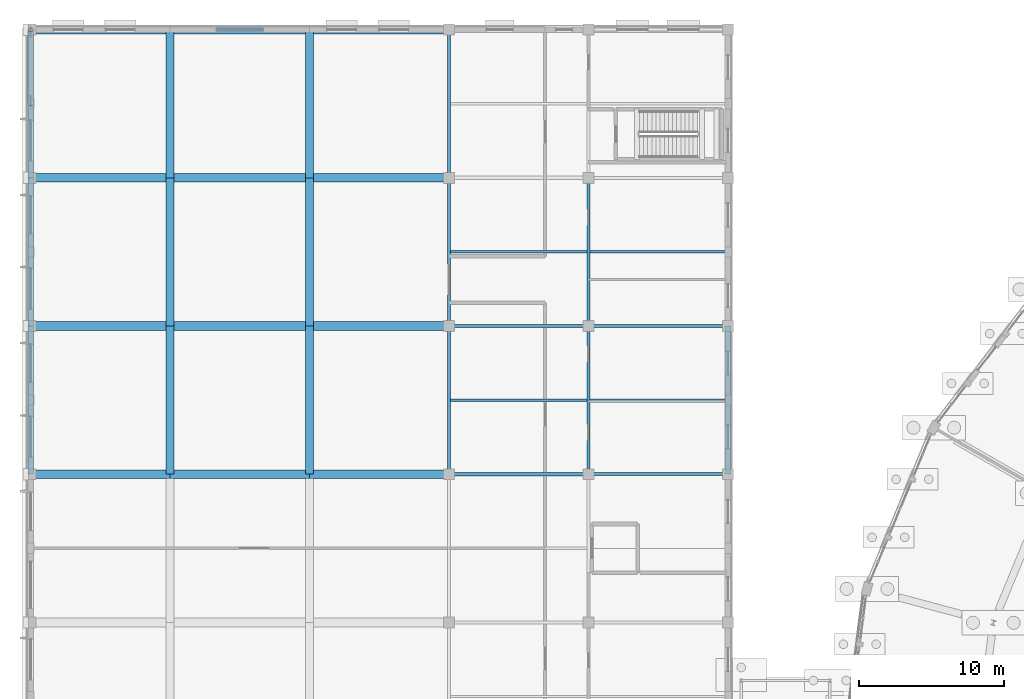
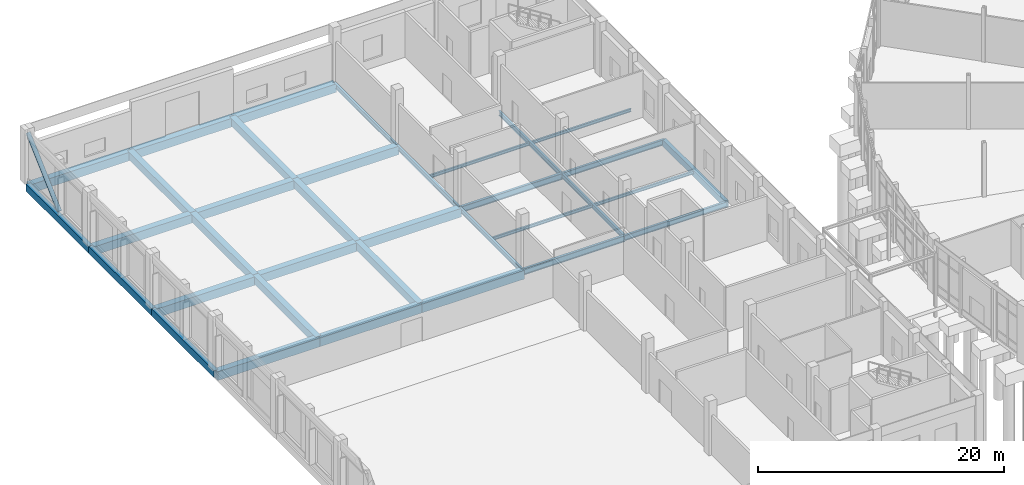
# One storey, part 50 of 137: 35 beams, 1 member.
"""IFC4 building model written with IfcOpenShell, lengths in metres."""

from ifc_helpers import new_model, si_unit, direction, frame, origin, origin_2d, place, context, subcontext, project, spatial, rectangle, hollow_circle, i_section, extrude, material, material_profile, profile_set, type_object, element, save


model = new_model("IFC4")

# Units and contexts
model_context = context("Model", 3, precision=1e-05, world=origin(), true_north=direction((0.0, 1.0)))
body_context = subcontext(model_context, "Body", "Model", "MODEL_VIEW")
ifc_project = project(units=[si_unit("LENGTHUNIT", "METRE"), si_unit("AREAUNIT", "SQUARE_METRE"), si_unit("VOLUMEUNIT", "CUBIC_METRE"), si_unit("PLANEANGLEUNIT", "RADIAN"), si_unit("MASSUNIT", "GRAM", prefix="KILO")], contexts=[model_context])

# Site, building, storey
site_placement = place(None, origin())
site = spatial("IfcSite", under=ifc_project, at=site_placement, CompositionType="ELEMENT")
building_placement = place(site_placement, origin())
building = spatial("IfcBuilding", under=site, at=building_placement, Name="Vondelvale Polytechnic", CompositionType="ELEMENT")
storey_placement = place(building_placement, origin())
storey = spatial("IfcBuildingStorey", under=building, at=storey_placement, Name="L00", CompositionType="ELEMENT", Elevation=0.0)

# Beams
ifc_material_1 = material(Name="Concrete N40 (f'c = 40 MPa)", Category="concrete")
ifc_material_profile_1 = material_profile(ifc_material_1, rectangle(XDim=0.550048828125, YDim=0.75, at=origin_2d()), Name="RC-BM-550x750")
ifc_profile_set_1 = profile_set([ifc_material_profile_1], Name="Concrete N40 (f'c = 40 MPa)")
beam_type_1 = type_object("IfcBeamType", Name="BM-RC550x750", PredefinedType="BEAM", material=ifc_profile_set_1)
for number, where, z_axis, x_axis, name in (
    (1, (9.60009765625, 91.800048828125, -0.675048828125), (0.0, 1.0, 0.0), (-1.0, 0.0, 0.0), "L00 B B-02"),
    (2, (9.60009765625, 102.0, -0.675048828125), (0.0, 1.0, 0.0), (-1.0, 0.0, 0.0), "L00 B B-02"),
    (3, (9.60009765625, 112.199951171875, -0.675048828125), (0.0, 1.0, 0.0), (-1.0, 0.0, 0.0), "L00 B B-02"),
    (4, (19.199951171875, 91.800048828125, -0.675048828125), (0.0, 1.0, 0.0), (-1.0, 0.0, 0.0), "L00 B B-02"),
    (5, (19.199951171875, 102.0, -0.675048828125), (0.0, 1.0, 0.0), (-1.0, 0.0, 0.0), "L00 B B-02"),
    (6, (19.199951171875, 112.199951171875, -0.675048828125), (0.0, 1.0, 0.0), (-1.0, 0.0, 0.0), "L00 B B-02"),
):
    element("IfcBeam", number, at=place(storey_placement, frame(where, z_axis=z_axis, x_axis=x_axis)), inside=storey, type_object=beam_type_1, Name=name, PredefinedType="BEAM", context=body_context, shape_type="SweptSolid", body=[
        extrude(rectangle(XDim=0.550048828125, YDim=0.75, at=origin_2d()), origin(), (0.0, 0.0, 1.0), 10.199951171875),
    ])
ifc_material_profile_2 = material_profile(ifc_material_1, rectangle(XDim=0.60009765625, YDim=0.85009765625, at=origin_2d()), Name="RC-BM-600x850")
ifc_profile_set_2 = profile_set([ifc_material_profile_2], Name="Concrete N40 (f'c = 40 MPa)")
beam_type_2 = type_object("IfcBeamType", Name="BM-RC600x850", PredefinedType="BEAM", material=ifc_profile_set_2)
beam_1_placement = place(storey_placement, frame((0.0, 91.800048828125, -0.72509765625), z_axis=(1.0, 0.0, 0.0), x_axis=(0.0, 1.0, 0.0)))
element("IfcBeam", 7, at=beam_1_placement, inside=storey, type_object=beam_type_2, Name="L00 B B-01", PredefinedType="BEAM", context=body_context, shape_type="SweptSolid", body=[
    extrude(rectangle(XDim=0.60009765625, YDim=0.85009765625, at=origin_2d()), origin(), (0.0, 0.0, 1.0), 9.60009765625),
])
beam_2_placement = place(storey_placement, frame((9.60009765625, 91.800048828125, -0.72509765625), z_axis=(1.0, 0.0, 0.0), x_axis=(0.0, 1.0, 0.0)))
element("IfcBeam", 8, at=beam_2_placement, inside=storey, type_object=beam_type_2, Name="L00 B B-01", PredefinedType="BEAM", context=body_context, shape_type="SweptSolid", body=[
    extrude(rectangle(XDim=0.60009765625, YDim=0.85009765625, at=origin_2d()), origin(), (0.0, 0.0, 1.0), 9.599853515625),
])
for number, where, z_axis, x_axis, name in (
    (9, (19.199951171875, 91.800048828125, -0.72509765625), (1.0, 0.0, 0.0), (0.0, 1.0, 0.0), "L00 B B-01"),
    (10, (0.0, 102.0, -0.72509765625), (1.0, 0.0, 0.0), (0.0, 1.0, 0.0), "L00 B B-01"),
):
    element("IfcBeam", number, at=place(storey_placement, frame(where, z_axis=z_axis, x_axis=x_axis)), inside=storey, type_object=beam_type_2, Name=name, PredefinedType="BEAM", context=body_context, shape_type="SweptSolid", body=[
        extrude(rectangle(XDim=0.60009765625, YDim=0.85009765625, at=origin_2d()), origin(), (0.0, 0.0, 1.0), 9.60009765625),
    ])
beam_3_placement = place(storey_placement, frame((9.60009765625, 102.0, -0.72509765625), z_axis=(1.0, 0.0, 0.0), x_axis=(0.0, 1.0, 0.0)))
element("IfcBeam", 11, at=beam_3_placement, inside=storey, type_object=beam_type_2, Name="L00 B B-01", PredefinedType="BEAM", context=body_context, shape_type="SweptSolid", body=[
    extrude(rectangle(XDim=0.60009765625, YDim=0.85009765625, at=origin_2d()), origin(), (0.0, 0.0, 1.0), 9.599853515625),
])
for number, where, z_axis, x_axis, name in (
    (12, (19.199951171875, 102.0, -0.72509765625), (1.0, 0.0, 0.0), (0.0, 1.0, 0.0), "L00 B B-01"),
    (13, (0.0, 112.199951171875, -0.72509765625), (1.0, 0.0, 0.0), (0.0, 1.0, 0.0), "L00 B B-01"),
):
    element("IfcBeam", number, at=place(storey_placement, frame(where, z_axis=z_axis, x_axis=x_axis)), inside=storey, type_object=beam_type_2, Name=name, PredefinedType="BEAM", context=body_context, shape_type="SweptSolid", body=[
        extrude(rectangle(XDim=0.60009765625, YDim=0.85009765625, at=origin_2d()), origin(), (0.0, 0.0, 1.0), 9.60009765625),
    ])
beam_4_placement = place(storey_placement, frame((9.60009765625, 112.199951171875, -0.72509765625), z_axis=(1.0, 0.0, 0.0), x_axis=(0.0, 1.0, 0.0)))
element("IfcBeam", 14, at=beam_4_placement, inside=storey, type_object=beam_type_2, Name="L00 B B-01", PredefinedType="BEAM", context=body_context, shape_type="SweptSolid", body=[
    extrude(rectangle(XDim=0.60009765625, YDim=0.85009765625, at=origin_2d()), origin(), (0.0, 0.0, 1.0), 9.599853515625),
])
for number, where, z_axis, x_axis, name in (
    (15, (19.199951171875, 112.199951171875, -0.72509765625), (1.0, 0.0, 0.0), (0.0, 1.0, 0.0), "L00 B B-01"),
    (16, (0.0, 122.39990234375, -0.72509765625), (1.0, 0.0, 0.0), (0.0, 1.0, 0.0), "L00 B B-01"),
):
    element("IfcBeam", number, at=place(storey_placement, frame(where, z_axis=z_axis, x_axis=x_axis)), inside=storey, type_object=beam_type_2, Name=name, PredefinedType="BEAM", context=body_context, shape_type="SweptSolid", body=[
        extrude(rectangle(XDim=0.60009765625, YDim=0.85009765625, at=origin_2d()), origin(), (0.0, 0.0, 1.0), 9.60009765625),
    ])
beam_5_placement = place(storey_placement, frame((9.60009765625, 122.39990234375, -0.72509765625), z_axis=(1.0, 0.0, 0.0), x_axis=(0.0, 1.0, 0.0)))
element("IfcBeam", 17, at=beam_5_placement, inside=storey, type_object=beam_type_2, Name="L00 B B-01", PredefinedType="BEAM", context=body_context, shape_type="SweptSolid", body=[
    extrude(rectangle(XDim=0.60009765625, YDim=0.85009765625, at=origin_2d()), origin(), (0.0, 0.0, 1.0), 9.599853515625),
])
beam_6_placement = place(storey_placement, frame((19.199951171875, 122.39990234375, -0.72509765625), z_axis=(1.0, 0.0, 0.0), x_axis=(0.0, 1.0, 0.0)))
element("IfcBeam", 18, at=beam_6_placement, inside=storey, type_object=beam_type_2, Name="L00 B B-01", PredefinedType="BEAM", context=body_context, shape_type="SweptSolid", body=[
    extrude(rectangle(XDim=0.60009765625, YDim=0.85009765625, at=origin_2d()), origin(), (0.0, 0.0, 1.0), 9.60009765625),
])
ifc_material_2 = material(Name="Steel 300PLUS (fy = 300 MPa)", Category="steel")
ifc_material_profile_3 = material_profile(ifc_material_2, i_section(OverallWidth=0.18994140625, OverallDepth=0.45703125, WebThickness=0.009033203125, FlangeThickness=0.014404296875, FilletRadius=0.011474609375, at=origin_2d()), Name="460UB74.6")
ifc_profile_set_3 = profile_set([ifc_material_profile_3], Name="Steel 300PLUS (fy = 300 MPa)")
beam_type_3 = type_object("IfcBeamType", Name="BM-UB460", PredefinedType="BEAM", material=ifc_profile_set_3)
for number, where, z_axis, x_axis, name in (
    (19, (28.800048828125, 91.800048828125, -0.528564453125), (0.0, 1.0, 0.0), (-1.0, 0.0, 0.0), "L00 B B-13"),
    (20, (28.800048828125, 102.0, -0.528564453125), (0.0, 1.0, 0.0), (-1.0, 0.0, 0.0), "L00 B B-13"),
    (21, (28.800048828125, 112.199951171875, -0.528564453125), (0.0, 1.0, 0.0), (-1.0, 0.0, 0.0), "L00 B B-13"),
    (22, (38.39990234375, 91.800048828125, -0.528564453125), (0.0, 1.0, 0.0), (-1.0, 0.0, 0.0), "L00 B B-13"),
    (23, (38.39990234375, 102.0, -0.528564453125), (0.0, 1.0, 0.0), (-1.0, 0.0, 0.0), "L00 B B-13"),
):
    element("IfcBeam", number, at=place(storey_placement, frame(where, z_axis=z_axis, x_axis=x_axis)), inside=storey, type_object=beam_type_3, Name=name, PredefinedType="BEAM", context=body_context, shape_type="SweptSolid", body=[
        extrude(i_section(OverallWidth=0.18994140625, OverallDepth=0.45703125, WebThickness=0.009033203125, FlangeThickness=0.014404296875, FilletRadius=0.011474609375, at=origin_2d()), origin(), (0.0, 0.0, 1.0), 10.199951171875),
    ])
ifc_material_profile_4 = material_profile(ifc_material_2, i_section(OverallWidth=0.208984375, OverallDepth=0.532958984375, WebThickness=0.01025390625, FlangeThickness=0.015625, FilletRadius=0.013916015625, at=origin_2d()), Name="530UB92.4")
ifc_profile_set_4 = profile_set([ifc_material_profile_4], Name="Steel 300PLUS (fy = 300 MPa)")
beam_type_4 = type_object("IfcBeamType", Name="BM-UB530", PredefinedType="BEAM", material=ifc_profile_set_4)
for number, where, z_axis, x_axis, name in (
    (24, (38.39990234375, 91.800048828125, -0.56640625), (1.0, 0.0, 0.0), (0.0, 1.0, 0.0), "L00 B B-11"),
    (25, (38.39990234375, 102.0, -0.56640625), (1.0, 0.0, 0.0), (0.0, 1.0, 0.0), "L00 B B-11"),
):
    element("IfcBeam", number, at=place(storey_placement, frame(where, z_axis=z_axis, x_axis=x_axis)), inside=storey, type_object=beam_type_4, Name=name, PredefinedType="BEAM", context=body_context, shape_type="SweptSolid", body=[
        extrude(i_section(OverallWidth=0.208984375, OverallDepth=0.532958984375, WebThickness=0.01025390625, FlangeThickness=0.015625, FilletRadius=0.013916015625, at=origin_2d()), origin(), (0.0, 0.0, 1.0), 9.60009765625),
    ])
ifc_material_profile_5 = material_profile(ifc_material_2, i_section(OverallWidth=0.22900390625, OverallDepth=0.612060546875, WebThickness=0.011962890625, FlangeThickness=0.01953125, FilletRadius=0.013916015625, at=origin_2d()), Name="610UB125")
ifc_profile_set_5 = profile_set([ifc_material_profile_5], Name="Steel 300PLUS (fy = 300 MPa)")
beam_type_5 = type_object("IfcBeamType", Name="BM-UB610H", PredefinedType="BEAM", material=ifc_profile_set_5)
for number, where, z_axis, x_axis, name in (
    (26, (28.800048828125, 91.800048828125, -0.60595703125), (1.0, 0.0, 0.0), (0.0, 1.0, 0.0), "L00 B B-09"),
    (27, (28.800048828125, 102.0, -0.60595703125), (1.0, 0.0, 0.0), (0.0, 1.0, 0.0), "L00 B B-09"),
):
    element("IfcBeam", number, at=place(storey_placement, frame(where, z_axis=z_axis, x_axis=x_axis)), inside=storey, type_object=beam_type_5, Name=name, PredefinedType="BEAM", context=body_context, shape_type="SweptSolid", body=[
        extrude(i_section(OverallWidth=0.22900390625, OverallDepth=0.612060546875, WebThickness=0.011962890625, FlangeThickness=0.01953125, FilletRadius=0.013916015625, at=origin_2d()), origin(), (0.0, 0.0, 1.0), 9.599853515625),
    ])

# Member
ifc_material_3 = material(Name="Steel C350L0 (fy = 350 MPa)", Category="steel")
ifc_material_profile_6 = material_profile(ifc_material_3, hollow_circle(Radius=0.203125, WallThickness=0.0126953125, at=origin_2d()), Name="406.4x12.7CHS")
ifc_profile_set_6 = profile_set([ifc_material_profile_6], Name="Steel C350L0 (fy = 350 MPa)")
member_type = type_object("IfcMemberType", Name="FRAME BRACE 406CHS", PredefinedType="BRACE", material=ifc_profile_set_6)
member_placement = place(storey_placement, frame((0.0, 117.300048828125, 0.0400390625), z_axis=(0.0, 0.734630837695, 0.678467045852), x_axis=(-1.0, 0.0, 0.0)))
element("IfcMember", 28, at=member_placement, inside=storey, type_object=member_type, Name="L00 workshop perimeter concentrically braced bay 7", PredefinedType="BRACE", context=body_context, shape_type="SweptSolid", body=[
    extrude(hollow_circle(Radius=0.203125, WallThickness=0.0126953125, at=origin_2d()), origin(), (0.0, 0.0, 1.0), 6.942138671875),
])

# Beams
ifc_material_profile_7 = material_profile(ifc_material_2, i_section(OverallWidth=0.1650390625, OverallDepth=0.303955078125, WebThickness=0.006103515625, FlangeThickness=0.01025390625, FilletRadius=0.011474609375, at=origin_2d()), Name="310UB40.4")
ifc_profile_set_7 = profile_set([ifc_material_profile_7], Name="Steel 300PLUS (fy = 300 MPa)")
beam_type_6 = type_object("IfcBeamType", Name="JST-UB310", PredefinedType="JOIST", material=ifc_profile_set_7)
beam_7_placement = place(storey_placement, frame((28.89990234375, 96.89990234375, -0.451904296875), z_axis=(1.0, 0.0, 0.0), x_axis=(0.0, 1.0, 0.0)))
element("IfcBeam", 29, at=beam_7_placement, inside=storey, type_object=beam_type_6, Name="L00 J J-05", PredefinedType="JOIST", context=body_context, shape_type="SweptSolid", body=[
    extrude(i_section(OverallWidth=0.1650390625, OverallDepth=0.303955078125, WebThickness=0.006103515625, FlangeThickness=0.01025390625, FilletRadius=0.011474609375, at=origin_2d()), origin(), (0.0, 0.0, 1.0), 9.400146484375),
])
beam_8_placement = place(storey_placement, frame((38.5, 96.89990234375, -0.451904296875), z_axis=(1.0, 0.0, 0.0), x_axis=(0.0, 1.0, 0.0)))
element("IfcBeam", 30, at=beam_8_placement, inside=storey, type_object=beam_type_6, Name="L00 J J-05", PredefinedType="JOIST", context=body_context, shape_type="SweptSolid", body=[
    extrude(i_section(OverallWidth=0.1650390625, OverallDepth=0.303955078125, WebThickness=0.006103515625, FlangeThickness=0.01025390625, FilletRadius=0.011474609375, at=origin_2d()), origin(), (0.0, 0.0, 1.0), 9.320068359375),
])
beam_9_placement = place(storey_placement, frame((28.89990234375, 107.10009765625, -0.451904296875), z_axis=(1.0, 0.0, 0.0), x_axis=(0.0, 1.0, 0.0)))
element("IfcBeam", 31, at=beam_9_placement, inside=storey, type_object=beam_type_6, Name="L00 J J-05", PredefinedType="JOIST", context=body_context, shape_type="SweptSolid", body=[
    extrude(i_section(OverallWidth=0.1650390625, OverallDepth=0.303955078125, WebThickness=0.006103515625, FlangeThickness=0.01025390625, FilletRadius=0.011474609375, at=origin_2d()), origin(), (0.0, 0.0, 1.0), 9.400146484375),
])
beam_10_placement = place(storey_placement, frame((38.5, 107.10009765625, -0.451904296875), z_axis=(1.0, 0.0, 0.0), x_axis=(0.0, 1.0, 0.0)))
element("IfcBeam", 32, at=beam_10_placement, inside=storey, type_object=beam_type_6, Name="L00 J J-05", PredefinedType="JOIST", context=body_context, shape_type="SweptSolid", body=[
    extrude(i_section(OverallWidth=0.1650390625, OverallDepth=0.303955078125, WebThickness=0.006103515625, FlangeThickness=0.01025390625, FilletRadius=0.011474609375, at=origin_2d()), origin(), (0.0, 0.0, 1.0), 9.320068359375),
])
ifc_material_4 = material(Name="Precast concrete N40 (f'c = 40 MPa)", Category="concrete")
ifc_material_profile_8 = material_profile(ifc_material_4, rectangle(XDim=0.35009765625, YDim=0.64990234375, at=origin_2d()), Name="RC-SPN-350x650")
ifc_profile_set_8 = profile_set([ifc_material_profile_8], Name="Precast concrete N40 (f'c = 40 MPa)")
beam_type_7 = type_object("IfcBeamType", Name="SPN-PRE350x650", PredefinedType="SPANDREL", material=ifc_profile_set_8)
beam_11_placement = place(storey_placement, frame((48.0, 91.800048828125, -0.625), z_axis=(0.0, 1.0, 0.0), x_axis=(-1.0, 0.0, 0.0)))
element("IfcBeam", 33, at=beam_11_placement, inside=storey, type_object=beam_type_7, Name="L00 B SP-02", PredefinedType="SPANDREL", context=body_context, shape_type="SweptSolid", body=[
    extrude(rectangle(XDim=0.35009765625, YDim=0.64990234375, at=origin_2d()), origin(), (0.0, 0.0, 1.0), 10.199951171875),
])
ifc_material_profile_9 = material_profile(ifc_material_4, rectangle(XDim=0.39990234375, YDim=0.699951171875, at=origin_2d()), Name="RC-SPN-400x700")
ifc_profile_set_9 = profile_set([ifc_material_profile_9], Name="Precast concrete N40 (f'c = 40 MPa)")
beam_type_8 = type_object("IfcBeamType", Name="SPN-PRE400x700", PredefinedType="SPANDREL", material=ifc_profile_set_9)
for number, where, z_axis, x_axis, name in (
    (34, (0.0, 91.800048828125, -0.64990234375), (0.0, 1.0, 0.0), (-1.0, 0.0, 0.0), "L00 B SP-01"),
    (35, (0.0, 102.0, -0.64990234375), (0.0, 1.0, 0.0), (-1.0, 0.0, 0.0), "L00 B SP-01"),
    (36, (0.0, 112.199951171875, -0.64990234375), (0.0, 1.0, 0.0), (-1.0, 0.0, 0.0), "L00 B SP-01"),
):
    element("IfcBeam", number, at=place(storey_placement, frame(where, z_axis=z_axis, x_axis=x_axis)), inside=storey, type_object=beam_type_8, Name=name, PredefinedType="SPANDREL", context=body_context, shape_type="SweptSolid", body=[
        extrude(rectangle(XDim=0.39990234375, YDim=0.699951171875, at=origin_2d()), origin(), (0.0, 0.0, 1.0), 10.199951171875),
    ])

save(model, "model.ifc")
